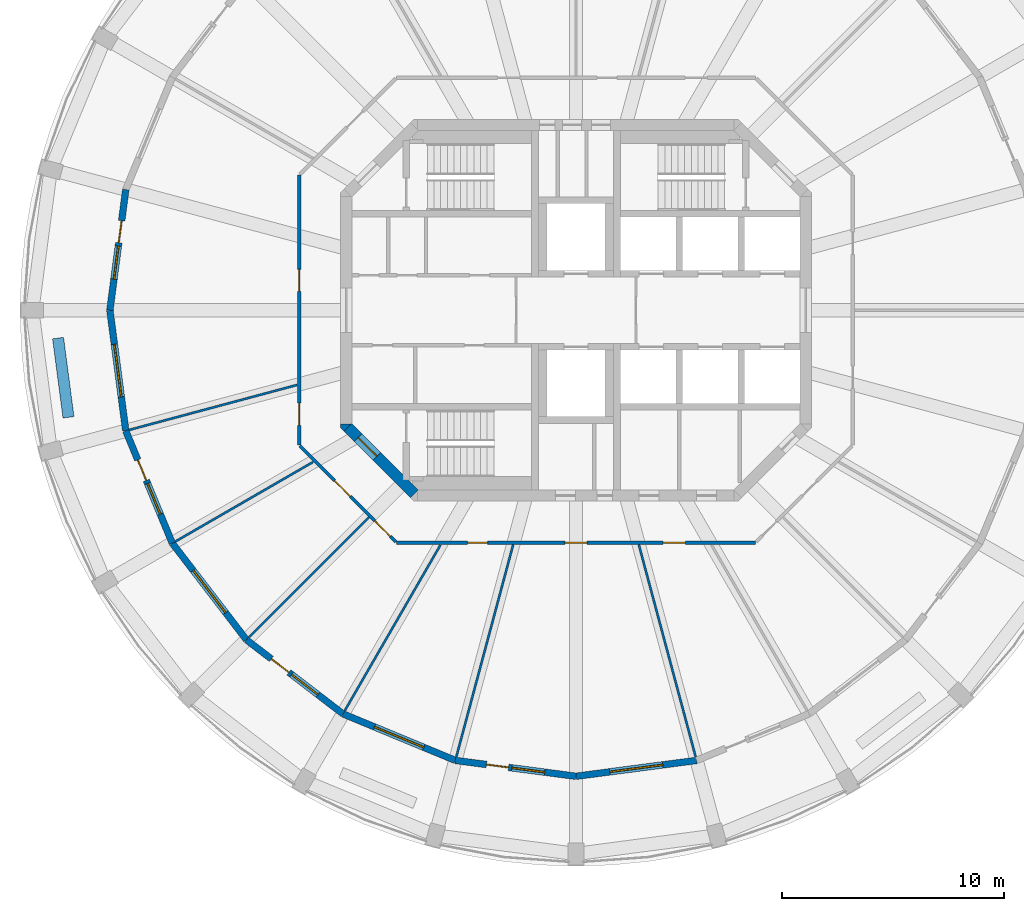
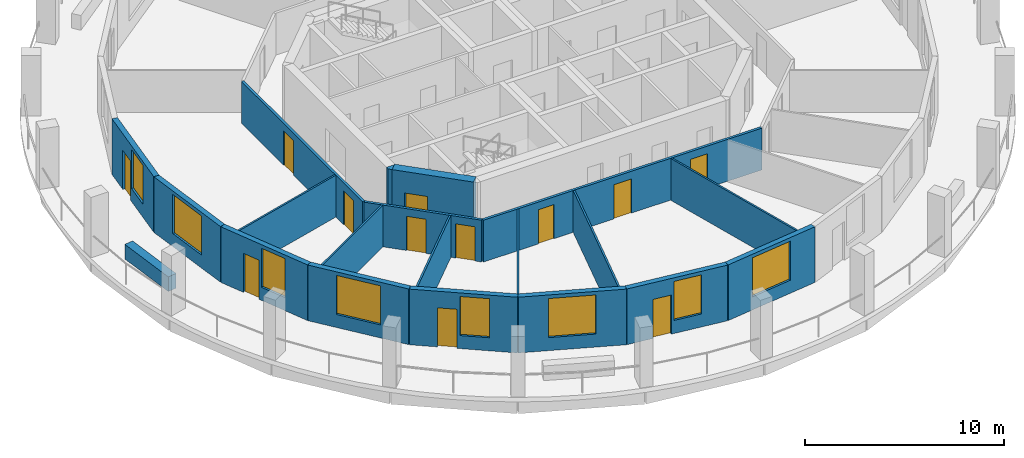
# One storey, part 2 of 8: 20 walls, 12 doors, 8 windows, 20 openings.
"""IFC4 building model written with IfcOpenShell, lengths in metres."""

from ifc_helpers import new_model, si_unit, direction, frame, frame_2d, origin, place, context, subcontext, project, spatial, polyline, rectangle, outline, extrude, material, layer, layer_set, type_object, element, fill, save


model = new_model("IFC4")

# Units and contexts
model_context = context("Model", 3, precision=1e-05, world=origin(), true_north=direction((0.0, 1.0)))
body_context = subcontext(model_context, "Body", "Model", "MODEL_VIEW")
ifc_project = project(units=[si_unit("LENGTHUNIT", "METRE"), si_unit("AREAUNIT", "SQUARE_METRE"), si_unit("VOLUMEUNIT", "CUBIC_METRE"), si_unit("PLANEANGLEUNIT", "RADIAN"), si_unit("MASSUNIT", "GRAM", prefix="KILO")], contexts=[model_context])

# Site, building, storey
site_placement = place(None, origin())
site = spatial("IfcSite", under=ifc_project, at=site_placement, CompositionType="ELEMENT")
building_placement = place(site_placement, origin())
building = spatial("IfcBuilding", under=site, at=building_placement, Name="Torre Triforio", CompositionType="ELEMENT")
storey_placement = place(building_placement, frame((0.0, 0.0, 261.199951171875)))
storey = spatial("IfcBuildingStorey", under=building, at=storey_placement, Name="L60", CompositionType="ELEMENT", Elevation=261.199951171875)

# Wall, opening, door
ifc_material_1 = material(Name="Concrete C40", Category="concrete")
ifc_layer_1 = layer(ifc_material_1, 0.5)
ifc_layer_set_1 = layer_set([ifc_layer_1], Name="Concrete C40")
wall_type_1 = type_object("IfcWallType", Name="Core wall 500 mm C40 EI 120", PredefinedType="SHEAR", material=ifc_layer_set_1)
wall_1_placement = place(storey_placement, frame((-7.27685546875, -8.27685546875, -0.280029296875), z_axis=(0.0, 0.0, 1.0), x_axis=(-0.707106781187, 0.707106781187, 0.0)))
wall_1 = element("IfcWall", 1, at=wall_1_placement, inside=storey, type_object=wall_type_1, Name="Core wall", PredefinedType="SHEAR", context=body_context, shape_type="SweptSolid", body=[
    extrude(rectangle(XDim=4.24267578125, YDim=0.5, at=frame_2d((2.121337890625, 0.0))), origin(), (0.0, 0.0, 1.0), 3.7001953125),
])
opening_1_placement = place(wall_1_placement, frame((2.392578125, 0.0, 0.280029296875)))
opening_1 = element("IfcOpeningElement", 2, at=opening_1_placement, cuts=wall_1, Name="Opening ST3-EXIT", PredefinedType="OPENING", context=body_context, shape_type="SweptSolid", body=[
    extrude(rectangle(XDim=1.199951171875, YDim=2.10009765625, at=frame_2d((0.60009765625, 1.050048828125))), frame((0.0, 0.260009765625, 0.0), z_axis=(0.0, -1.0, 0.0), x_axis=(1.0, 0.0, 0.0)), (0.0, 0.0, 1.0), 0.52001953125),
])
ifc_material_2 = material(Name="Hollow metal fire door leaf")
door_type_1 = type_object("IfcDoorType", Name="Stair lobby door 1200 x 2100 EI 60", OperationType="NOTDEFINED", PredefinedType="DOOR", material=ifc_material_2)
door_1_placement = place(opening_1_placement, origin())
door_1 = element("IfcDoor", 3, at=door_1_placement, inside=storey, type_object=door_type_1, Name="Core door ST3-EXIT", OperationType="SINGLE_SWING_RIGHT", OverallHeight=2.10009765625, OverallWidth=1.199951171875, PredefinedType="DOOR", context=body_context, shape_type="SweptSolid", body=[
    extrude(rectangle(XDim=1.199951171875, YDim=2.10009765625, at=frame_2d((0.60009765625, 1.050048828125))), frame((0.0, 0.02490234375, 0.0), z_axis=(0.0, -1.0, 0.0), x_axis=(1.0, 0.0, 0.0)), (0.0, 0.0, 1.0), 0.050048828125),
])
fill(opening_1, door_1)

# Wall
wall_2_placement = place(storey_placement, frame((0.0, 0.0, -0.280029296875)))
element("IfcWall", 4, at=wall_2_placement, inside=storey, type_object=wall_type_1, Name="Core wall", PredefinedType="SHEAR", context=body_context, shape_type="SweptSolid", body=[
    extrude(outline(polyline([(-10.60009765625, -5.30712890625), (-10.60009765625, -5.1298828125), (-10.1298828125, -5.1298828125), (-10.45361328125, -5.45361328125), (-10.60009765625, -5.30712890625)])), origin(), (0.0, 0.0, 1.0), 3.7001953125),
])

# Wall, openings, doors
ifc_material_3 = material(Name="Plasterboard on metal studs")
ifc_layer_2 = layer(ifc_material_3, 0.14990234375)
ifc_layer_set_2 = layer_set([ifc_layer_2], Name="Plasterboard on metal studs")
wall_type_2 = type_object("IfcWallType", Name="Corridor and tenancy wall 150 mm EI 60", PredefinedType="PARTITIONING", material=ifc_layer_set_2)
wall_3_placement = place(storey_placement, frame((8.083740234375, -10.47509765625, 0.0), z_axis=(0.0, 0.0, 1.0), x_axis=(-1.0, 0.0, 0.0)))
wall_3 = element("IfcWall", 5, at=wall_3_placement, inside=storey, type_object=wall_type_2, Name="Partition 2", PredefinedType="PARTITIONING", context=body_context, shape_type="SweptSolid", body=[
    extrude(rectangle(XDim=16.16748046875, YDim=0.14990234375, at=frame_2d((8.083740234375, 0.0))), origin(), (0.0, 0.0, 1.0), 2.570068359375),
])
opening_2_placement = place(wall_3_placement, frame((12.06494140625, 0.0, 0.0)))
opening_2 = element("IfcOpeningElement", 6, at=opening_2_placement, cuts=wall_3, Name="Opening E1-09", PredefinedType="OPENING", context=body_context, shape_type="SweptSolid", body=[
    extrude(rectangle(XDim=0.89990234375, YDim=2.10009765625, at=frame_2d((0.449951171875, 1.050048828125))), frame((0.0, 0.0849609375, 0.0), z_axis=(0.0, -1.0, 0.0), x_axis=(1.0, 0.0, 0.0)), (0.0, 0.0, 1.0), 0.169921875),
])
opening_3_placement = place(wall_3_placement, frame((7.583740234375, 0.0, 0.0)))
opening_3 = element("IfcOpeningElement", 7, at=opening_3_placement, cuts=wall_3, Name="Opening E1-10", PredefinedType="OPENING", context=body_context, shape_type="SweptSolid", body=[
    extrude(rectangle(XDim=1.0, YDim=2.10009765625, at=frame_2d((0.5, 1.050048828125))), frame((0.0, 0.0849609375, 0.0), z_axis=(0.0, -1.0, 0.0), x_axis=(1.0, 0.0, 0.0)), (0.0, 0.0, 1.0), 0.169921875),
])
opening_4_placement = place(wall_3_placement, frame((3.152587890625, 0.0, 0.0)))
opening_4 = element("IfcOpeningElement", 8, at=opening_4_placement, cuts=wall_3, Name="Opening E1-11", PredefinedType="OPENING", context=body_context, shape_type="SweptSolid", body=[
    extrude(rectangle(XDim=1.0, YDim=2.10009765625, at=frame_2d((0.5, 1.050048828125))), frame((0.0, 0.0849609375, 0.0), z_axis=(0.0, -1.0, 0.0), x_axis=(1.0, 0.0, 0.0)), (0.0, 0.0, 1.0), 0.169921875),
])
ifc_material_4 = material(Name="Timber", Category="wood")
door_type_2 = type_object("IfcDoorType", Name="Door 1000 x 2100 single leaf EI 30", OperationType="NOTDEFINED", PredefinedType="DOOR", material=ifc_material_4)
door_2_placement = place(opening_3_placement, origin())
door_2 = element("IfcDoor", 9, at=door_2_placement, inside=storey, type_object=door_type_2, Name="Door E1-10", OperationType="SINGLE_SWING_LEFT", OverallHeight=2.10009765625, OverallWidth=1.0, PredefinedType="DOOR", context=body_context, shape_type="SweptSolid", body=[
    extrude(rectangle(XDim=1.0, YDim=2.10009765625, at=frame_2d((0.5, 1.050048828125))), frame((0.0, 0.02490234375, 0.0), z_axis=(0.0, -1.0, 0.0), x_axis=(1.0, 0.0, 0.0)), (0.0, 0.0, 1.0), 0.050048828125),
])
fill(opening_3, door_2)
door_3_placement = place(opening_4_placement, origin())
door_3 = element("IfcDoor", 10, at=door_3_placement, inside=storey, type_object=door_type_2, Name="Door E1-11", OperationType="SINGLE_SWING_LEFT", OverallHeight=2.10009765625, OverallWidth=1.0, PredefinedType="DOOR", context=body_context, shape_type="SweptSolid", body=[
    extrude(rectangle(XDim=1.0, YDim=2.10009765625, at=frame_2d((0.5, 1.050048828125))), frame((0.0, 0.02490234375, 0.0), z_axis=(0.0, -1.0, 0.0), x_axis=(1.0, 0.0, 0.0)), (0.0, 0.0, 1.0), 0.050048828125),
])
fill(opening_4, door_3)
door_type_3 = type_object("IfcDoorType", Name="Door 900 x 2100 single leaf EI 30", OperationType="NOTDEFINED", PredefinedType="DOOR", material=ifc_material_4)
door_4_placement = place(opening_2_placement, origin())
door_4 = element("IfcDoor", 11, at=door_4_placement, inside=storey, type_object=door_type_3, Name="Door E1-09", OperationType="SINGLE_SWING_LEFT", OverallHeight=2.10009765625, OverallWidth=0.89990234375, PredefinedType="DOOR", context=body_context, shape_type="SweptSolid", body=[
    extrude(rectangle(XDim=0.89990234375, YDim=2.10009765625, at=frame_2d((0.449951171875, 1.050048828125))), frame((0.0, 0.02490234375, 0.0), z_axis=(0.0, -1.0, 0.0), x_axis=(1.0, 0.0, 0.0)), (0.0, 0.0, 1.0), 0.050048828125),
])
fill(opening_2, door_4)

wall_4_placement = place(storey_placement, frame((-8.120849609375, -10.43798828125, 0.0), z_axis=(0.0, 0.0, 1.0), x_axis=(-0.707106781187, 0.707106781187, 0.0)))
wall_4 = element("IfcWall", 12, at=wall_4_placement, inside=storey, type_object=wall_type_2, Name="Partition 3", PredefinedType="PARTITIONING", context=body_context, shape_type="SweptSolid", body=[
    extrude(rectangle(XDim=6.10546875, YDim=0.14990234375, at=frame_2d((3.052734375, 0.0))), origin(), (0.0, 0.0, 1.0), 2.570068359375),
])
opening_5_placement = place(wall_4_placement, frame((2.8974609375, 0.0, 0.0)))
opening_5 = element("IfcOpeningElement", 13, at=opening_5_placement, cuts=wall_4, Name="Opening E1-07", PredefinedType="OPENING", context=body_context, shape_type="SweptSolid", body=[
    extrude(rectangle(XDim=1.0, YDim=2.10009765625, at=frame_2d((0.5, 1.050048828125))), frame((0.0, 0.0849609375, 0.0), z_axis=(0.0, -1.0, 0.0), x_axis=(1.0, 0.0, 0.0)), (0.0, 0.0, 1.0), 0.169921875),
])
opening_6_placement = place(wall_4_placement, frame((0.34423828125, 0.0, 0.0)))
opening_6 = element("IfcOpeningElement", 14, at=opening_6_placement, cuts=wall_4, Name="Opening E1-08", PredefinedType="OPENING", context=body_context, shape_type="SweptSolid", body=[
    extrude(rectangle(XDim=1.0, YDim=2.10009765625, at=frame_2d((0.5, 1.050048828125))), frame((0.0, 0.0849609375, 0.0), z_axis=(0.0, -1.0, 0.0), x_axis=(1.0, 0.0, 0.0)), (0.0, 0.0, 1.0), 0.169921875),
])
door_5_placement = place(opening_5_placement, origin())
door_5 = element("IfcDoor", 15, at=door_5_placement, inside=storey, type_object=door_type_2, Name="Door E1-07", OperationType="SINGLE_SWING_LEFT", OverallHeight=2.10009765625, OverallWidth=1.0, PredefinedType="DOOR", context=body_context, shape_type="SweptSolid", body=[
    extrude(rectangle(XDim=1.0, YDim=2.10009765625, at=frame_2d((0.5, 1.050048828125))), frame((0.0, 0.02490234375, 0.0), z_axis=(0.0, -1.0, 0.0), x_axis=(1.0, 0.0, 0.0)), (0.0, 0.0, 1.0), 0.050048828125),
])
fill(opening_5, door_5)
door_6_placement = place(opening_6_placement, origin())
door_6 = element("IfcDoor", 16, at=door_6_placement, inside=storey, type_object=door_type_2, Name="Door E1-08", OperationType="SINGLE_SWING_LEFT", OverallHeight=2.10009765625, OverallWidth=1.0, PredefinedType="DOOR", context=body_context, shape_type="SweptSolid", body=[
    extrude(rectangle(XDim=1.0, YDim=2.10009765625, at=frame_2d((0.5, 1.050048828125))), frame((0.0, 0.02490234375, 0.0), z_axis=(0.0, -1.0, 0.0), x_axis=(1.0, 0.0, 0.0)), (0.0, 0.0, 1.0), 0.050048828125),
])
fill(opening_6, door_6)

wall_5_placement = place(storey_placement, frame((-12.47509765625, -6.083740234375, 0.0), z_axis=(0.0, 0.0, 1.0), x_axis=(0.0, 1.0, 0.0)))
wall_5 = element("IfcWall", 17, at=wall_5_placement, inside=storey, type_object=wall_type_2, Name="Partition 4", PredefinedType="PARTITIONING", context=body_context, shape_type="SweptSolid", body=[
    extrude(rectangle(XDim=12.16748046875, YDim=0.14990234375, at=frame_2d((6.083740234375, 0.0))), origin(), (0.0, 0.0, 1.0), 2.570068359375),
])
opening_7_placement = place(wall_5_placement, frame((6.928466796875, 0.0, 0.0)))
opening_7 = element("IfcOpeningElement", 18, at=opening_7_placement, cuts=wall_5, Name="Opening E1-05", PredefinedType="OPENING", context=body_context, shape_type="SweptSolid", body=[
    extrude(rectangle(XDim=1.0, YDim=2.10009765625, at=frame_2d((0.5, 1.050048828125))), frame((0.0, 0.0849609375, 0.0), z_axis=(0.0, -1.0, 0.0), x_axis=(1.0, 0.0, 0.0)), (0.0, 0.0, 1.0), 0.169921875),
])
opening_8_placement = place(wall_5_placement, frame((0.8955078125, 0.0, 0.0)))
opening_8 = element("IfcOpeningElement", 19, at=opening_8_placement, cuts=wall_5, Name="Opening E1-06", PredefinedType="OPENING", context=body_context, shape_type="SweptSolid", body=[
    extrude(rectangle(XDim=1.0, YDim=2.10009765625, at=frame_2d((0.5, 1.050048828125))), frame((0.0, 0.0849609375, 0.0), z_axis=(0.0, -1.0, 0.0), x_axis=(1.0, 0.0, 0.0)), (0.0, 0.0, 1.0), 0.169921875),
])
door_7_placement = place(opening_7_placement, origin())
door_7 = element("IfcDoor", 20, at=door_7_placement, inside=storey, type_object=door_type_2, Name="Door E1-05", OperationType="SINGLE_SWING_LEFT", OverallHeight=2.10009765625, OverallWidth=1.0, PredefinedType="DOOR", context=body_context, shape_type="SweptSolid", body=[
    extrude(rectangle(XDim=1.0, YDim=2.10009765625, at=frame_2d((0.5, 1.050048828125))), frame((0.0, 0.02490234375, 0.0), z_axis=(0.0, -1.0, 0.0), x_axis=(1.0, 0.0, 0.0)), (0.0, 0.0, 1.0), 0.050048828125),
])
fill(opening_7, door_7)
door_8_placement = place(opening_8_placement, origin())
door_8 = element("IfcDoor", 21, at=door_8_placement, inside=storey, type_object=door_type_2, Name="Door E1-06", OperationType="SINGLE_SWING_LEFT", OverallHeight=2.10009765625, OverallWidth=1.0, PredefinedType="DOOR", context=body_context, shape_type="SweptSolid", body=[
    extrude(rectangle(XDim=1.0, YDim=2.10009765625, at=frame_2d((0.5, 1.050048828125))), frame((0.0, 0.02490234375, 0.0), z_axis=(0.0, -1.0, 0.0), x_axis=(1.0, 0.0, 0.0)), (0.0, 0.0, 1.0), 0.050048828125),
])
fill(opening_8, door_8)

# Walls
ifc_layer_3 = layer(ifc_material_3, 0.10009765625)
ifc_layer_set_3 = layer_set([ifc_layer_3], Name="Plasterboard on metal studs")
wall_type_3 = type_object("IfcWallType", Name="Partition 100 mm board on metal studs", PredefinedType="PARTITIONING", material=ifc_layer_set_3)
wall_6_placement = place(storey_placement, frame((-12.564208984375, -3.36669921875, 0.0), z_axis=(0.0, 0.0, 1.0), x_axis=(-0.965933576344, -0.258790119773, 0.0)))
element("IfcWall", 22, at=wall_6_placement, inside=storey, type_object=wall_type_3, Name="Partition 15", PredefinedType="PARTITIONING", context=body_context, shape_type="SweptSolid", body=[
    extrude(rectangle(XDim=7.8291015625, YDim=0.10009765625, at=frame_2d((3.91455078125, 0.0))), origin(), (0.0, 0.0, 1.0), 2.570068359375),
])
wall_7_placement = place(storey_placement, frame((-11.845947265625, -6.839111328125, 0.0), z_axis=(0.0, 0.0, 1.0), x_axis=(-0.866011787705, -0.500023583, 0.0)))
element("IfcWall", 23, at=wall_7_placement, inside=storey, type_object=wall_type_3, Name="Partition 16", PredefinedType="PARTITIONING", context=body_context, shape_type="SweptSolid", body=[
    extrude(rectangle(XDim=7.158447265625, YDim=0.10009765625, at=frame_2d((3.5791015625, 0.0))), origin(), (0.0, 0.0, 1.0), 2.570068359375),
])
wall_8_placement = place(storey_placement, frame((-9.33251953125, -9.33251953125, 0.0), z_axis=(0.0, 0.0, 1.0), x_axis=(-0.707106781187, -0.707106781187, 0.0)))
element("IfcWall", 24, at=wall_8_placement, inside=storey, type_object=wall_type_3, Name="Partition 17", PredefinedType="PARTITIONING", context=body_context, shape_type="SweptSolid", body=[
    extrude(rectangle(XDim=7.638671875, YDim=0.10009765625, at=frame_2d((3.8193359375, 0.0))), origin(), (0.0, 0.0, 1.0), 2.570068359375),
])
wall_9_placement = place(storey_placement, frame((-6.105224609375, -10.57470703125, 0.0), z_axis=(0.0, 0.0, 1.0), x_axis=(-0.50001399067, -0.866017326117, 0.0)))
element("IfcWall", 25, at=wall_9_placement, inside=storey, type_object=wall_type_3, Name="Partition 18", PredefinedType="PARTITIONING", context=body_context, shape_type="SweptSolid", body=[
    extrude(rectangle(XDim=8.626220703125, YDim=0.10009765625, at=frame_2d((4.31298828125, 0.0))), origin(), (0.0, 0.0, 1.0), 2.570068359375),
])
for number, where, z_axis, x_axis, name in (
    (26, (-2.830810546875, -10.564208984375, 0.0), (0.0, 0.0, 1.0), (-0.258795254151, -0.965932200741, 0.0), "Partition 19"),
    (27, (2.830810546875, -10.564208984375, 0.0), (0.0, 0.0, 1.0), (0.258795254151, -0.965932200741, 0.0), "Partition 20"),
):
    element("IfcWall", number, at=place(storey_placement, frame(where, z_axis=z_axis, x_axis=x_axis)), inside=storey, type_object=wall_type_3, Name=name, PredefinedType="PARTITIONING", context=body_context, shape_type="SweptSolid", body=[
        extrude(rectangle(XDim=9.899658203125, YDim=0.10009765625, at=frame_2d((4.94970703125, 0.0))), origin(), (0.0, 0.0, 1.0), 2.570068359375),
    ])
ifc_material_5 = material(Name="Limestone cladding", Category="masonry")
ifc_layer_4 = layer(ifc_material_5, 0.10009765625)
ifc_layer_5 = layer(ifc_material_1, 0.39990234375)
ifc_layer_set_4 = layer_set([ifc_layer_4, ifc_layer_5], Name="Limestone cladding / Concrete C40")
wall_type_4 = type_object("IfcWallType", Name="Planter wall 500", PredefinedType="PARAPET", material=ifc_layer_set_4)
wall_10_placement = place(storey_placement, frame((-23.335693359375, -1.256591796875, 0.0), z_axis=(0.0, 0.0, 1.0), x_axis=(0.130542222659, -0.991442750795, 0.0)))
element("IfcWall", 28, at=wall_10_placement, inside=storey, type_object=wall_type_4, Name="Planter L60 bay 13", PredefinedType="PARAPET", context=body_context, shape_type="SweptSolid", body=[
    extrude(rectangle(XDim=3.60009765625, YDim=0.5, at=frame_2d((1.800048828125, 0.0))), origin(), (0.0, 0.0, 1.0), 0.900146484375),
])

# Wall, openings, door, window
ifc_layer_6 = layer(ifc_material_5, 0.10009765625)
ifc_layer_7 = layer(ifc_material_1, 0.199951171875)
ifc_layer_set_5 = layer_set([ifc_layer_6, ifc_layer_7], Name="Limestone cladding / Concrete C40")
wall_type_5 = type_object("IfcWallType", Name="Stone-faced composite wall 300", PredefinedType="STANDARD", material=ifc_layer_set_5)
wall_11_placement = place(storey_placement, frame((-20.284423828125, 5.435302734375, 0.0), z_axis=(0.0, 0.0, 1.0), x_axis=(-0.130527087244, -0.991444743541, 0.0)))
wall_11 = element("IfcWall", 29, at=wall_11_placement, inside=storey, type_object=wall_type_5, Name="External wall L60 bay 12", PredefinedType="STANDARD", context=body_context, shape_type="SweptSolid", body=[
    extrude(rectangle(XDim=5.482177734375, YDim=0.300048828125, at=frame_2d((2.7412109375, 0.0))), origin(), (0.0, 0.0, 1.0), 3.420166015625),
])
opening_9_placement = place(wall_11_placement, frame((1.416015625, 0.0, 0.0)))
opening_9 = element("IfcOpeningElement", 30, at=opening_9_placement, cuts=wall_11, Name="Opening E1-D12", PredefinedType="OPENING", context=body_context, shape_type="SweptSolid", body=[
    extrude(rectangle(XDim=1.0, YDim=2.39990234375, at=frame_2d((0.5, 1.199951171875))), frame((0.0, 0.159912109375, 0.0), z_axis=(0.0, -1.0, 0.0), x_axis=(1.0, 0.0, 0.0)), (0.0, 0.0, 1.0), 0.320068359375),
])
opening_10_placement = place(wall_11_placement, frame((2.566162109375, 0.0, 0.800048828125)))
opening_10 = element("IfcOpeningElement", 31, at=opening_10_placement, cuts=wall_11, Name="Opening E1-W12A", PredefinedType="OPENING", context=body_context, shape_type="SweptSolid", body=[
    extrude(rectangle(XDim=1.5, YDim=2.39990234375, at=frame_2d((0.75, 1.199951171875))), frame((0.0, 0.159912109375, 0.0), z_axis=(0.0, -1.0, 0.0), x_axis=(1.0, 0.0, 0.0)), (0.0, 0.0, 1.0), 0.320068359375),
])
ifc_material_6 = material(Name="Aluminium frame with clear double glazing", Category="aluminium")
door_type_4 = type_object("IfcDoorType", Name="Loggia door 1000 x 2400", OperationType="NOTDEFINED", PredefinedType="DOOR", material=ifc_material_6)
door_9_placement = place(opening_9_placement, origin())
door_9 = element("IfcDoor", 32, at=door_9_placement, inside=storey, type_object=door_type_4, Name="Loggia door L60 bay 12", OperationType="SINGLE_SWING_LEFT", OverallHeight=2.39990234375, OverallWidth=1.0, PredefinedType="DOOR", context=body_context, shape_type="SweptSolid", body=[
    extrude(rectangle(XDim=1.0, YDim=2.39990234375, at=frame_2d((0.5, 1.199951171875))), frame((0.0, 0.02490234375, 0.0), z_axis=(0.0, -1.0, 0.0), x_axis=(1.0, 0.0, 0.0)), (0.0, 0.0, 1.0), 0.050048828125),
])
fill(opening_9, door_9)
window_type_1 = type_object("IfcWindowType", Name="Side window 1500 x 2400", PartitioningType="SINGLE_PANEL", PredefinedType="WINDOW", material=ifc_material_6)
window_1_placement = place(opening_10_placement, origin())
window_1 = element("IfcWindow", 33, at=window_1_placement, inside=storey, type_object=window_type_1, Name="Side window EWN14 L60 bay 12", OverallHeight=2.39990234375, OverallWidth=1.5, PartitioningType="SINGLE_PANEL", PredefinedType="WINDOW", context=body_context, shape_type="SweptSolid", body=[
    extrude(rectangle(XDim=1.5, YDim=2.39990234375, at=frame_2d((0.75, 1.199951171875))), frame((0.0, 0.030029296875, 0.0), z_axis=(0.0, -1.0, 0.0), x_axis=(1.0, 0.0, 0.0)), (0.0, 0.0, 1.0), 0.06005859375),
])
fill(opening_10, window_1)

# Wall, opening, window
wall_12_placement = place(storey_placement, frame((-21.0, 0.0, 0.0), z_axis=(0.0, 0.0, 1.0), x_axis=(0.130527087244, -0.991444743541, 0.0)))
wall_12 = element("IfcWall", 34, at=wall_12_placement, inside=storey, type_object=wall_type_5, Name="External wall L60 bay 13", PredefinedType="STANDARD", context=body_context, shape_type="SweptSolid", body=[
    extrude(rectangle(XDim=5.482177734375, YDim=0.300048828125, at=frame_2d((2.7412109375, 0.0))), origin(), (0.0, 0.0, 1.0), 3.420166015625),
])
opening_11_placement = place(wall_12_placement, frame((1.541015625, 0.0, 0.800048828125)))
opening_11 = element("IfcOpeningElement", 35, at=opening_11_placement, cuts=wall_12, Name="Opening E1-W13", PredefinedType="OPENING", context=body_context, shape_type="SweptSolid", body=[
    extrude(rectangle(XDim=2.39990234375, YDim=2.39990234375, at=frame_2d((1.199951171875, 1.199951171875))), frame((0.0, 0.159912109375, 0.0), z_axis=(0.0, -1.0, 0.0), x_axis=(1.0, 0.0, 0.0)), (0.0, 0.0, 1.0), 0.320068359375),
])
window_type_2 = type_object("IfcWindowType", Name="Punched window 2400 x 2400", PartitioningType="DOUBLE_PANEL_VERTICAL", PredefinedType="WINDOW", material=ifc_material_6)
window_2_placement = place(opening_11_placement, origin())
window_2 = element("IfcWindow", 36, at=window_2_placement, inside=storey, type_object=window_type_2, Name="Window EWN4 L60 bay 13", OverallHeight=2.39990234375, OverallWidth=2.39990234375, PartitioningType="SINGLE_PANEL", PredefinedType="WINDOW", context=body_context, shape_type="SweptSolid", body=[
    extrude(rectangle(XDim=2.39990234375, YDim=2.39990234375, at=frame_2d((1.199951171875, 1.199951171875))), frame((0.0, 0.030029296875, 0.0), z_axis=(0.0, -1.0, 0.0), x_axis=(1.0, 0.0, 0.0)), (0.0, 0.0, 1.0), 0.06005859375),
])
fill(opening_11, window_2)

# Wall, openings, door, window
wall_13_placement = place(storey_placement, frame((-20.284423828125, -5.435302734375, 0.0), z_axis=(0.0, 0.0, 1.0), x_axis=(0.382688740813, -0.923877333662, 0.0)))
wall_13 = element("IfcWall", 37, at=wall_13_placement, inside=storey, type_object=wall_type_5, Name="External wall L60 bay 14", PredefinedType="STANDARD", context=body_context, shape_type="SweptSolid", body=[
    extrude(rectangle(XDim=5.48193359375, YDim=0.300048828125, at=frame_2d((2.740966796875, 0.0))), origin(), (0.0, 0.0, 1.0), 3.420166015625),
])
opening_12_placement = place(wall_13_placement, frame((1.416015625, 0.0, 0.0)))
opening_12 = element("IfcOpeningElement", 38, at=opening_12_placement, cuts=wall_13, Name="Opening E1-D14", PredefinedType="OPENING", context=body_context, shape_type="SweptSolid", body=[
    extrude(rectangle(XDim=1.0, YDim=2.39990234375, at=frame_2d((0.5, 1.199951171875))), frame((0.0, 0.159912109375, 0.0), z_axis=(0.0, -1.0, 0.0), x_axis=(1.0, 0.0, 0.0)), (0.0, 0.0, 1.0), 0.320068359375),
])
opening_13_placement = place(wall_13_placement, frame((2.566162109375, 0.0, 0.800048828125)))
opening_13 = element("IfcOpeningElement", 39, at=opening_13_placement, cuts=wall_13, Name="Opening E1-W14A", PredefinedType="OPENING", context=body_context, shape_type="SweptSolid", body=[
    extrude(rectangle(XDim=1.5, YDim=2.39990234375, at=frame_2d((0.75, 1.199951171875))), frame((0.0, 0.159912109375, 0.0), z_axis=(0.0, -1.0, 0.0), x_axis=(1.0, 0.0, 0.0)), (0.0, 0.0, 1.0), 0.320068359375),
])
door_10_placement = place(opening_12_placement, origin())
door_10 = element("IfcDoor", 40, at=door_10_placement, inside=storey, type_object=door_type_4, Name="Loggia door L60 bay 14", OperationType="SINGLE_SWING_LEFT", OverallHeight=2.39990234375, OverallWidth=1.0, PredefinedType="DOOR", context=body_context, shape_type="SweptSolid", body=[
    extrude(rectangle(XDim=1.0, YDim=2.39990234375, at=frame_2d((0.5, 1.199951171875))), frame((0.0, 0.02490234375, 0.0), z_axis=(0.0, -1.0, 0.0), x_axis=(1.0, 0.0, 0.0)), (0.0, 0.0, 1.0), 0.050048828125),
])
fill(opening_12, door_10)
window_3_placement = place(opening_13_placement, origin())
window_3 = element("IfcWindow", 41, at=window_3_placement, inside=storey, type_object=window_type_1, Name="Side window EWN14 L60 bay 14", OverallHeight=2.39990234375, OverallWidth=1.5, PartitioningType="SINGLE_PANEL", PredefinedType="WINDOW", context=body_context, shape_type="SweptSolid", body=[
    extrude(rectangle(XDim=1.5, YDim=2.39990234375, at=frame_2d((0.75, 1.199951171875))), frame((0.0, 0.030029296875, 0.0), z_axis=(0.0, -1.0, 0.0), x_axis=(1.0, 0.0, 0.0)), (0.0, 0.0, 1.0), 0.06005859375),
])
fill(opening_13, window_3)

# Wall, opening, window
wall_14_placement = place(storey_placement, frame((-18.1865234375, -10.5, 0.0), z_axis=(0.0, 0.0, 1.0), x_axis=(0.608784891166, -0.793335336593, 0.0)))
wall_14 = element("IfcWall", 42, at=wall_14_placement, inside=storey, type_object=wall_type_5, Name="External wall L60 bay 15", PredefinedType="STANDARD", context=body_context, shape_type="SweptSolid", body=[
    extrude(rectangle(XDim=5.482177734375, YDim=0.300048828125, at=frame_2d((2.7412109375, 0.0))), origin(), (0.0, 0.0, 1.0), 3.420166015625),
])
opening_14_placement = place(wall_14_placement, frame((1.541015625, 0.0, 0.800048828125)))
opening_14 = element("IfcOpeningElement", 43, at=opening_14_placement, cuts=wall_14, Name="Opening E1-W15", PredefinedType="OPENING", context=body_context, shape_type="SweptSolid", body=[
    extrude(rectangle(XDim=2.39990234375, YDim=2.39990234375, at=frame_2d((1.199951171875, 1.199951171875))), frame((0.0, 0.159912109375, 0.0), z_axis=(0.0, -1.0, 0.0), x_axis=(1.0, 0.0, 0.0)), (0.0, 0.0, 1.0), 0.320068359375),
])
window_4_placement = place(opening_14_placement, origin())
window_4 = element("IfcWindow", 44, at=window_4_placement, inside=storey, type_object=window_type_2, Name="Window EWN4 L60 bay 15", OverallHeight=2.39990234375, OverallWidth=2.39990234375, PartitioningType="SINGLE_PANEL", PredefinedType="WINDOW", context=body_context, shape_type="SweptSolid", body=[
    extrude(rectangle(XDim=2.39990234375, YDim=2.39990234375, at=frame_2d((1.199951171875, 1.199951171875))), frame((0.0, 0.030029296875, 0.0), z_axis=(0.0, -1.0, 0.0), x_axis=(1.0, 0.0, 0.0)), (0.0, 0.0, 1.0), 0.06005859375),
])
fill(opening_14, window_4)

# Wall, openings, door, window
wall_15_placement = place(storey_placement, frame((-14.84912109375, -14.84912109375, 0.0), z_axis=(0.0, 0.0, 1.0), x_axis=(0.793335336593, -0.608784891166, 0.0)))
wall_15 = element("IfcWall", 45, at=wall_15_placement, inside=storey, type_object=wall_type_5, Name="External wall L60 bay 16", PredefinedType="STANDARD", context=body_context, shape_type="SweptSolid", body=[
    extrude(rectangle(XDim=5.482177734375, YDim=0.300048828125, at=frame_2d((2.7412109375, 0.0))), origin(), (0.0, 0.0, 1.0), 3.420166015625),
])
opening_15_placement = place(wall_15_placement, frame((1.416015625, 0.0, 0.0)))
opening_15 = element("IfcOpeningElement", 46, at=opening_15_placement, cuts=wall_15, Name="Opening E1-D16", PredefinedType="OPENING", context=body_context, shape_type="SweptSolid", body=[
    extrude(rectangle(XDim=1.0, YDim=2.39990234375, at=frame_2d((0.5, 1.199951171875))), frame((0.0, 0.159912109375, 0.0), z_axis=(0.0, -1.0, 0.0), x_axis=(1.0, 0.0, 0.0)), (0.0, 0.0, 1.0), 0.320068359375),
])
opening_16_placement = place(wall_15_placement, frame((2.56591796875, 0.0, 0.800048828125)))
opening_16 = element("IfcOpeningElement", 47, at=opening_16_placement, cuts=wall_15, Name="Opening E1-W16A", PredefinedType="OPENING", context=body_context, shape_type="SweptSolid", body=[
    extrude(rectangle(XDim=1.5, YDim=2.39990234375, at=frame_2d((0.75, 1.199951171875))), frame((0.0, 0.159912109375, 0.0), z_axis=(0.0, -1.0, 0.0), x_axis=(1.0, 0.0, 0.0)), (0.0, 0.0, 1.0), 0.320068359375),
])
door_11_placement = place(opening_15_placement, origin())
door_11 = element("IfcDoor", 48, at=door_11_placement, inside=storey, type_object=door_type_4, Name="Loggia door L60 bay 16", OperationType="SINGLE_SWING_LEFT", OverallHeight=2.39990234375, OverallWidth=1.0, PredefinedType="DOOR", context=body_context, shape_type="SweptSolid", body=[
    extrude(rectangle(XDim=1.0, YDim=2.39990234375, at=frame_2d((0.5, 1.199951171875))), frame((0.0, 0.02490234375, 0.0), z_axis=(0.0, -1.0, 0.0), x_axis=(1.0, 0.0, 0.0)), (0.0, 0.0, 1.0), 0.050048828125),
])
fill(opening_15, door_11)
window_5_placement = place(opening_16_placement, origin())
window_5 = element("IfcWindow", 49, at=window_5_placement, inside=storey, type_object=window_type_1, Name="Side window EWN14 L60 bay 16", OverallHeight=2.39990234375, OverallWidth=1.5, PartitioningType="SINGLE_PANEL", PredefinedType="WINDOW", context=body_context, shape_type="SweptSolid", body=[
    extrude(rectangle(XDim=1.5, YDim=2.39990234375, at=frame_2d((0.75, 1.199951171875))), frame((0.0, 0.030029296875, 0.0), z_axis=(0.0, -1.0, 0.0), x_axis=(1.0, 0.0, 0.0)), (0.0, 0.0, 1.0), 0.06005859375),
])
fill(opening_16, window_5)

# Wall, opening, window
wall_16_placement = place(storey_placement, frame((-10.5, -18.1865234375, 0.0), z_axis=(0.0, 0.0, 1.0), x_axis=(0.923877333662, -0.382688740813, 0.0)))
wall_16 = element("IfcWall", 50, at=wall_16_placement, inside=storey, type_object=wall_type_5, Name="External wall L60 bay 17", PredefinedType="STANDARD", context=body_context, shape_type="SweptSolid", body=[
    extrude(rectangle(XDim=5.48193359375, YDim=0.300048828125, at=frame_2d((2.740966796875, 0.0))), origin(), (0.0, 0.0, 1.0), 3.420166015625),
])
opening_17_placement = place(wall_16_placement, frame((1.541015625, 0.0, 0.800048828125)))
opening_17 = element("IfcOpeningElement", 51, at=opening_17_placement, cuts=wall_16, Name="Opening E1-W17", PredefinedType="OPENING", context=body_context, shape_type="SweptSolid", body=[
    extrude(rectangle(XDim=2.39990234375, YDim=2.39990234375, at=frame_2d((1.199951171875, 1.199951171875))), frame((0.0, 0.159912109375, 0.0), z_axis=(0.0, -1.0, 0.0), x_axis=(1.0, 0.0, 0.0)), (0.0, 0.0, 1.0), 0.320068359375),
])
window_6_placement = place(opening_17_placement, origin())
window_6 = element("IfcWindow", 52, at=window_6_placement, inside=storey, type_object=window_type_2, Name="Window EWN4 L60 bay 17", OverallHeight=2.39990234375, OverallWidth=2.39990234375, PartitioningType="SINGLE_PANEL", PredefinedType="WINDOW", context=body_context, shape_type="SweptSolid", body=[
    extrude(rectangle(XDim=2.39990234375, YDim=2.39990234375, at=frame_2d((1.199951171875, 1.199951171875))), frame((0.0, 0.030029296875, 0.0), z_axis=(0.0, -1.0, 0.0), x_axis=(1.0, 0.0, 0.0)), (0.0, 0.0, 1.0), 0.06005859375),
])
fill(opening_17, window_6)

# Wall, openings, door, window
wall_17_placement = place(storey_placement, frame((-5.435302734375, -20.284423828125, 0.0), z_axis=(0.0, 0.0, 1.0), x_axis=(0.991444743541, -0.130527087244, 0.0)))
wall_17 = element("IfcWall", 53, at=wall_17_placement, inside=storey, type_object=wall_type_5, Name="External wall L60 bay 18", PredefinedType="STANDARD", context=body_context, shape_type="SweptSolid", body=[
    extrude(rectangle(XDim=5.482177734375, YDim=0.300048828125, at=frame_2d((2.7412109375, 0.0))), origin(), (0.0, 0.0, 1.0), 3.420166015625),
])
opening_18_placement = place(wall_17_placement, frame((1.416015625, 0.0, 0.0)))
opening_18 = element("IfcOpeningElement", 54, at=opening_18_placement, cuts=wall_17, Name="Opening E1-D18", PredefinedType="OPENING", context=body_context, shape_type="SweptSolid", body=[
    extrude(rectangle(XDim=1.0, YDim=2.39990234375, at=frame_2d((0.5, 1.199951171875))), frame((0.0, 0.159912109375, 0.0), z_axis=(0.0, -1.0, 0.0), x_axis=(1.0, 0.0, 0.0)), (0.0, 0.0, 1.0), 0.320068359375),
])
opening_19_placement = place(wall_17_placement, frame((2.566162109375, 0.0, 0.800048828125)))
opening_19 = element("IfcOpeningElement", 55, at=opening_19_placement, cuts=wall_17, Name="Opening E1-W18A", PredefinedType="OPENING", context=body_context, shape_type="SweptSolid", body=[
    extrude(rectangle(XDim=1.5, YDim=2.39990234375, at=frame_2d((0.75, 1.199951171875))), frame((0.0, 0.159912109375, 0.0), z_axis=(0.0, -1.0, 0.0), x_axis=(1.0, 0.0, 0.0)), (0.0, 0.0, 1.0), 0.320068359375),
])
door_12_placement = place(opening_18_placement, origin())
door_12 = element("IfcDoor", 56, at=door_12_placement, inside=storey, type_object=door_type_4, Name="Loggia door L60 bay 18", OperationType="SINGLE_SWING_LEFT", OverallHeight=2.39990234375, OverallWidth=1.0, PredefinedType="DOOR", context=body_context, shape_type="SweptSolid", body=[
    extrude(rectangle(XDim=1.0, YDim=2.39990234375, at=frame_2d((0.5, 1.199951171875))), frame((0.0, 0.02490234375, 0.0), z_axis=(0.0, -1.0, 0.0), x_axis=(1.0, 0.0, 0.0)), (0.0, 0.0, 1.0), 0.050048828125),
])
fill(opening_18, door_12)
window_7_placement = place(opening_19_placement, origin())
window_7 = element("IfcWindow", 57, at=window_7_placement, inside=storey, type_object=window_type_1, Name="Side window EWN14 L60 bay 18", OverallHeight=2.39990234375, OverallWidth=1.5, PartitioningType="SINGLE_PANEL", PredefinedType="WINDOW", context=body_context, shape_type="SweptSolid", body=[
    extrude(rectangle(XDim=1.5, YDim=2.39990234375, at=frame_2d((0.75, 1.199951171875))), frame((0.0, 0.030029296875, 0.0), z_axis=(0.0, -1.0, 0.0), x_axis=(1.0, 0.0, 0.0)), (0.0, 0.0, 1.0), 0.06005859375),
])
fill(opening_19, window_7)

# Wall, opening, window
wall_18_placement = place(storey_placement, frame((0.0, -21.0, 0.0), z_axis=(0.0, 0.0, 1.0), x_axis=(0.991444743541, 0.130527087244, 0.0)))
wall_18 = element("IfcWall", 58, at=wall_18_placement, inside=storey, type_object=wall_type_5, Name="External wall L60 bay 19", PredefinedType="STANDARD", context=body_context, shape_type="SweptSolid", body=[
    extrude(rectangle(XDim=5.482177734375, YDim=0.300048828125, at=frame_2d((2.7412109375, 0.0))), origin(), (0.0, 0.0, 1.0), 3.420166015625),
])
opening_20_placement = place(wall_18_placement, frame((1.541015625, 0.0, 0.800048828125)))
opening_20 = element("IfcOpeningElement", 59, at=opening_20_placement, cuts=wall_18, Name="Opening E1-W19", PredefinedType="OPENING", context=body_context, shape_type="SweptSolid", body=[
    extrude(rectangle(XDim=2.39990234375, YDim=2.39990234375, at=frame_2d((1.199951171875, 1.199951171875))), frame((0.0, 0.159912109375, 0.0), z_axis=(0.0, -1.0, 0.0), x_axis=(1.0, 0.0, 0.0)), (0.0, 0.0, 1.0), 0.320068359375),
])
window_8_placement = place(opening_20_placement, origin())
window_8 = element("IfcWindow", 60, at=window_8_placement, inside=storey, type_object=window_type_2, Name="Window EWN4 L60 bay 19", OverallHeight=2.39990234375, OverallWidth=2.39990234375, PartitioningType="SINGLE_PANEL", PredefinedType="WINDOW", context=body_context, shape_type="SweptSolid", body=[
    extrude(rectangle(XDim=2.39990234375, YDim=2.39990234375, at=frame_2d((1.199951171875, 1.199951171875))), frame((0.0, 0.030029296875, 0.0), z_axis=(0.0, -1.0, 0.0), x_axis=(1.0, 0.0, 0.0)), (0.0, 0.0, 1.0), 0.06005859375),
])
fill(opening_20, window_8)

save(model, "model.ifc")
